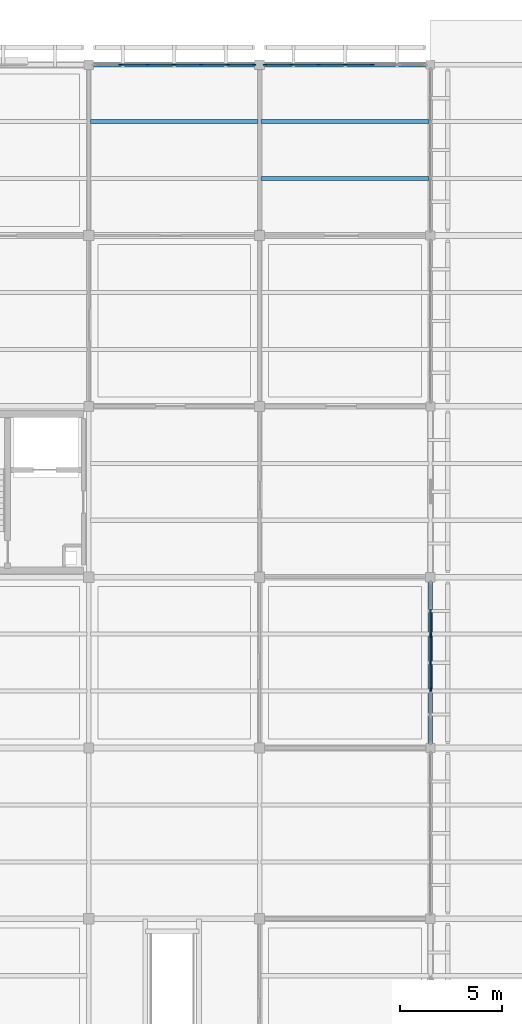
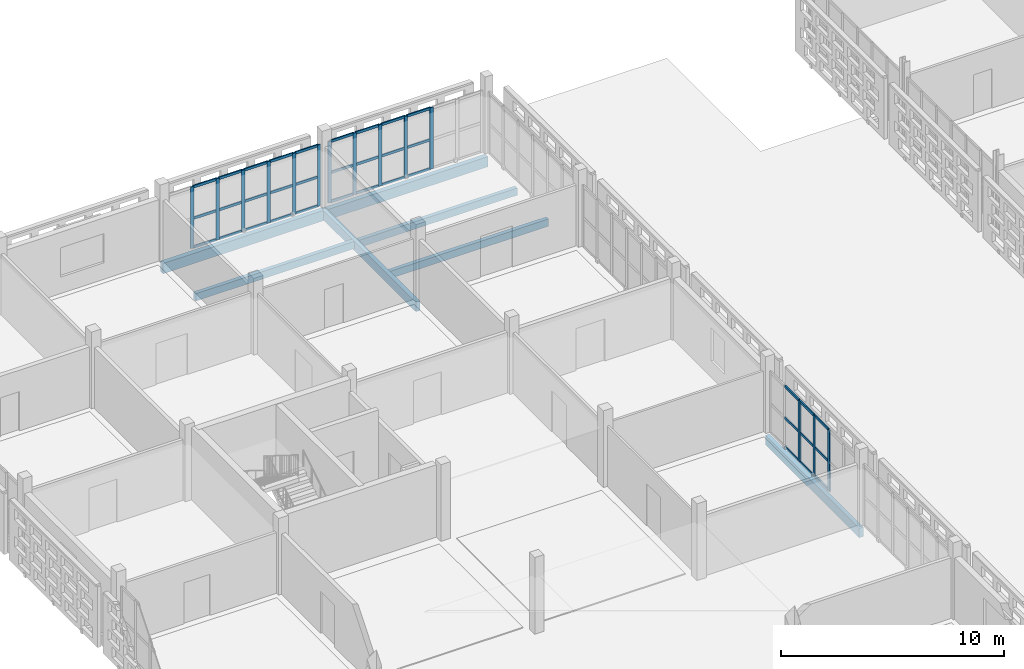
# One storey, part 39 of 166: 50 members, 7 beams, 3 elements without a shape of their own.
"""IFC4 building model written with IfcOpenShell, lengths in metres."""

from ifc_helpers import new_model, si_unit, direction, frame, origin, origin_2d, place, context, subcontext, project, spatial, rectangle, extrude, material, layer, layer_set, material_profile, profile_set, type_object, element, aggregate, save


model = new_model("IFC4")

# Units and contexts
model_context = context("Model", 3, precision=1e-05, world=origin(), true_north=direction((0.0, 1.0)))
body_context = subcontext(model_context, "Body", "Model", "MODEL_VIEW")
ifc_project = project(units=[si_unit("LENGTHUNIT", "METRE"), si_unit("AREAUNIT", "SQUARE_METRE"), si_unit("VOLUMEUNIT", "CUBIC_METRE"), si_unit("PLANEANGLEUNIT", "RADIAN"), si_unit("MASSUNIT", "GRAM", prefix="KILO")], contexts=[model_context])

# Site, building, storey
site_placement = place(None, origin())
site = spatial("IfcSite", under=ifc_project, at=site_placement, CompositionType="ELEMENT")
building_placement = place(site_placement, origin())
building = spatial("IfcBuilding", under=site, at=building_placement, Name="Varnapada Polytechnic", CompositionType="ELEMENT")
storey_placement = place(building_placement, frame((0.0, 0.0, 9.60009765625)))
storey = spatial("IfcBuildingStorey", under=building, at=storey_placement, Name="L02", CompositionType="ELEMENT", Elevation=9.60009765625)

# Beams
ifc_material_1 = material(Name="Glulam GL32h", Category="wood")
ifc_material_profile_1 = material_profile(ifc_material_1, rectangle(XDim=0.219970703125, YDim=0.52001953125, at=origin_2d()), Name="GL 220x520")
ifc_profile_set_1 = profile_set([ifc_material_profile_1], Name="Glulam GL32h")
beam_type_1 = type_object("IfcBeamType", Name="Laboratory transverse glulam beam GB-12 (GL 220x520)", PredefinedType="BEAM", material=ifc_profile_set_1)
beam_1_placement = place(storey_placement, frame((25.199951171875, 117.60009765625, -0.5), z_axis=(0.0, 1.0, 0.0), x_axis=(-1.0, 0.0, 0.0)))
element("IfcBeam", 1, at=beam_1_placement, inside=storey, type_object=beam_type_1, Name="L02 beam Y 15-16 at X4", PredefinedType="BEAM", context=body_context, shape_type="SweptSolid", body=[
    extrude(rectangle(XDim=0.219970703125, YDim=0.52001953125, at=origin_2d()), origin(), (0.0, 0.0, 1.0), 8.39990234375),
])
beam_2_placement = place(storey_placement, frame((33.60009765625, 92.39990234375, -0.530029296875), z_axis=(0.0, 1.0, 0.0), x_axis=(-1.0, 0.0, 0.0)))
element("IfcBeam", 2, at=beam_2_placement, inside=storey, type_object=beam_type_1, Name="L02 beam Y 12-13 at X5", PredefinedType="BEAM", context=body_context, shape_type="SweptSolid", body=[
    extrude(rectangle(XDim=0.219970703125, YDim=0.52001953125, at=origin_2d()), origin(), (0.0, 0.0, 1.0), 8.400146484375),
])
ifc_material_profile_2 = material_profile(ifc_material_1, rectangle(XDim=0.199951171875, YDim=0.39990234375, at=origin_2d()), Name="GL 200x400")
ifc_profile_set_2 = profile_set([ifc_material_profile_2], Name="Glulam GL32h")
beam_type_2 = type_object("IfcBeamType", Name="Library/laboratory glulam floor joist GJ-01 (GL 200x400)", PredefinedType="JOIST", material=ifc_profile_set_2)
beam_3_placement = place(storey_placement, frame((16.8798828125, 123.199951171875, -0.440185546875), z_axis=(1.0, 0.0, 0.0), x_axis=(0.0, 1.0, 0.0)))
element("IfcBeam", 3, at=beam_3_placement, inside=storey, type_object=beam_type_2, Name="L02 floor joist 3/15.2", PredefinedType="JOIST", context=body_context, shape_type="SweptSolid", body=[
    extrude(rectangle(XDim=0.199951171875, YDim=0.39990234375, at=origin_2d()), origin(), (0.0, 0.0, 1.0), 8.240234375),
])
for number, where, z_axis, x_axis, name in (
    (4, (25.280029296875, 120.39990234375, -0.47021484375), (1.0, 0.0, 0.0), (0.0, 1.0, 0.0), "L02 floor joist 4/15.1"),
    (5, (25.280029296875, 123.199951171875, -0.47021484375), (1.0, 0.0, 0.0), (0.0, 1.0, 0.0), "L02 floor joist 4/15.2"),
):
    element("IfcBeam", number, at=place(storey_placement, frame(where, z_axis=z_axis, x_axis=x_axis)), inside=storey, type_object=beam_type_2, Name=name, PredefinedType="JOIST", context=body_context, shape_type="SweptSolid", body=[
        extrude(rectangle(XDim=0.199951171875, YDim=0.39990234375, at=origin_2d()), origin(), (0.0, 0.0, 1.0), 8.239990234375),
    ])

# Curtain wall, members
ifc_material_2 = material(Name="Double low-E laminated glass", Category="glass")
ifc_layer = layer(ifc_material_2, 0.179931640625)
ifc_layer_set = layer_set([ifc_layer], Name="Double low-E laminated glass")
curtain_wall_type = type_object("IfcCurtainWallType", Name="Curtain Wall CW-03", PredefinedType="NOTDEFINED", material=ifc_layer_set)
curtain_wall_1_placement = place(storey_placement, origin())
curtain_wall_1 = element("IfcCurtainWall", 6, at=curtain_wall_1_placement, inside=storey, type_object=curtain_wall_type, Name="L02 unitised curtain wall CW-03 (142)", PredefinedType="NOTDEFINED")
ifc_material_3 = material(Name="Anodised aluminium", Category="aluminium")
ifc_material_profile_3 = material_profile(ifc_material_3, rectangle(XDim=0.06494140625, YDim=0.179931640625, at=origin_2d()), Name="ALU M65x180")
ifc_profile_set_3 = profile_set([ifc_material_profile_3], Name="Anodised aluminium")
member_type_1 = type_object("IfcMemberType", Name="Mullion M-02", PredefinedType="MULLION", material=ifc_profile_set_3)
member_1_placement = place(storey_placement, frame((18.360107421875, 126.0, 0.0), z_axis=(0.0, 0.0, 1.0), x_axis=(0.0, 1.0, 0.0)))
member_1 = element("IfcMember", 7, at=member_1_placement, type_object=member_type_1, Name="CW-03 mullion 2", PredefinedType="MULLION", context=body_context, shape_type="SweptSolid", body=[
    extrude(rectangle(XDim=0.06494140625, YDim=0.179931640625, at=origin_2d()), origin(), (0.0, 0.0, 1.0), 3.35986328125),
])
member_2_placement = place(storey_placement, frame((19.679931640625, 126.0, 0.0), z_axis=(0.0, 0.0, 1.0), x_axis=(0.0, 1.0, 0.0)))
member_2 = element("IfcMember", 8, at=member_2_placement, type_object=member_type_1, Name="CW-03 mullion 3", PredefinedType="MULLION", context=body_context, shape_type="SweptSolid", body=[
    extrude(rectangle(XDim=0.06494140625, YDim=0.179931640625, at=origin_2d()), origin(), (0.0, 0.0, 1.0), 3.35986328125),
])
member_3_placement = place(storey_placement, frame((21.0, 126.0, 0.0), z_axis=(0.0, 0.0, 1.0), x_axis=(0.0, 1.0, 0.0)))
member_3 = element("IfcMember", 9, at=member_3_placement, type_object=member_type_1, Name="CW-03 mullion 4", PredefinedType="MULLION", context=body_context, shape_type="SweptSolid", body=[
    extrude(rectangle(XDim=0.06494140625, YDim=0.179931640625, at=origin_2d()), origin(), (0.0, 0.0, 1.0), 3.35986328125),
])
member_4_placement = place(storey_placement, frame((22.320068359375, 126.0, 0.0), z_axis=(0.0, 0.0, 1.0), x_axis=(0.0, 1.0, 0.0)))
member_4 = element("IfcMember", 10, at=member_4_placement, type_object=member_type_1, Name="CW-03 mullion 5", PredefinedType="MULLION", context=body_context, shape_type="SweptSolid", body=[
    extrude(rectangle(XDim=0.06494140625, YDim=0.179931640625, at=origin_2d()), origin(), (0.0, 0.0, 1.0), 3.35986328125),
])
member_5_placement = place(storey_placement, frame((23.639892578125, 126.0, 0.0), z_axis=(0.0, 0.0, 1.0), x_axis=(0.0, 1.0, 0.0)))
member_5 = element("IfcMember", 11, at=member_5_placement, type_object=member_type_1, Name="CW-03 mullion 6", PredefinedType="MULLION", context=body_context, shape_type="SweptSolid", body=[
    extrude(rectangle(XDim=0.06494140625, YDim=0.179931640625, at=origin_2d()), origin(), (0.0, 0.0, 1.0), 3.35986328125),
])
member_6_placement = place(storey_placement, frame((24.927490234375, 126.0, 0.0), z_axis=(0.0, 0.0, 1.0), x_axis=(0.0, 1.0, 0.0)))
member_6 = element("IfcMember", 12, at=member_6_placement, type_object=member_type_1, Name="CW-03 mullion 7", PredefinedType="MULLION", context=body_context, shape_type="SweptSolid", body=[
    extrude(rectangle(XDim=0.06494140625, YDim=0.179931640625, at=origin_2d()), origin(), (0.0, 0.0, 1.0), 3.35986328125),
])

curtain_wall_2_placement = place(storey_placement, origin())
curtain_wall_2 = element("IfcCurtainWall", 13, at=curtain_wall_2_placement, inside=storey, type_object=curtain_wall_type, Name="L02 unitised curtain wall CW-03 (147)", PredefinedType="NOTDEFINED")
member_7_placement = place(storey_placement, frame((33.60009765625, 97.919921875, 0.0), z_axis=(0.0, 0.0, 1.0), x_axis=(1.0, 0.0, 0.0)))
member_7 = element("IfcMember", 14, at=member_7_placement, type_object=member_type_1, Name="CW-03 mullion 3", PredefinedType="MULLION", context=body_context, shape_type="SweptSolid", body=[
    extrude(rectangle(XDim=0.06494140625, YDim=0.179931640625, at=origin_2d()), origin(), (0.0, 0.0, 1.0), 3.35986328125),
])
member_8_placement = place(storey_placement, frame((33.60009765625, 96.594970703125, 0.0), z_axis=(0.0, 0.0, 1.0), x_axis=(1.0, 0.0, 0.0)))
member_8 = element("IfcMember", 15, at=member_8_placement, type_object=member_type_1, Name="CW-03 mullion 4", PredefinedType="MULLION", context=body_context, shape_type="SweptSolid", body=[
    extrude(rectangle(XDim=0.06494140625, YDim=0.179931640625, at=origin_2d()), origin(), (0.0, 0.0, 1.0), 3.35986328125),
])
member_9_placement = place(storey_placement, frame((33.60009765625, 95.27001953125, 0.0), z_axis=(0.0, 0.0, 1.0), x_axis=(1.0, 0.0, 0.0)))
member_9 = element("IfcMember", 16, at=member_9_placement, type_object=member_type_1, Name="CW-03 mullion 5", PredefinedType="MULLION", context=body_context, shape_type="SweptSolid", body=[
    extrude(rectangle(XDim=0.06494140625, YDim=0.179931640625, at=origin_2d()), origin(), (0.0, 0.0, 1.0), 3.35986328125),
])

curtain_wall_3_placement = place(storey_placement, origin())
curtain_wall_3 = element("IfcCurtainWall", 17, at=curtain_wall_3_placement, inside=storey, type_object=curtain_wall_type, Name="L02 unitised curtain wall CW-03 (149)", PredefinedType="NOTDEFINED")
member_10_placement = place(storey_placement, frame((25.472412109375, 126.0, 0.0), z_axis=(0.0, 0.0, 1.0), x_axis=(0.0, 1.0, 0.0)))
member_10 = element("IfcMember", 18, at=member_10_placement, type_object=member_type_1, Name="CW-03 mullion 1", PredefinedType="MULLION", context=body_context, shape_type="SweptSolid", body=[
    extrude(rectangle(XDim=0.06494140625, YDim=0.179931640625, at=origin_2d()), origin(), (0.0, 0.0, 1.0), 3.35986328125),
])
member_11_placement = place(storey_placement, frame((26.764892578125, 126.0, 0.0), z_axis=(0.0, 0.0, 1.0), x_axis=(0.0, 1.0, 0.0)))
member_11 = element("IfcMember", 19, at=member_11_placement, type_object=member_type_1, Name="CW-03 mullion 2", PredefinedType="MULLION", context=body_context, shape_type="SweptSolid", body=[
    extrude(rectangle(XDim=0.06494140625, YDim=0.179931640625, at=origin_2d()), origin(), (0.0, 0.0, 1.0), 3.35986328125),
])
member_12_placement = place(storey_placement, frame((28.090087890625, 126.0, 0.0), z_axis=(0.0, 0.0, 1.0), x_axis=(0.0, 1.0, 0.0)))
member_12 = element("IfcMember", 20, at=member_12_placement, type_object=member_type_1, Name="CW-03 mullion 3", PredefinedType="MULLION", context=body_context, shape_type="SweptSolid", body=[
    extrude(rectangle(XDim=0.06494140625, YDim=0.179931640625, at=origin_2d()), origin(), (0.0, 0.0, 1.0), 3.35986328125),
])
member_13_placement = place(storey_placement, frame((29.4150390625, 126.0, 0.0), z_axis=(0.0, 0.0, 1.0), x_axis=(0.0, 1.0, 0.0)))
member_13 = element("IfcMember", 21, at=member_13_placement, type_object=member_type_1, Name="CW-03 mullion 4", PredefinedType="MULLION", context=body_context, shape_type="SweptSolid", body=[
    extrude(rectangle(XDim=0.06494140625, YDim=0.179931640625, at=origin_2d()), origin(), (0.0, 0.0, 1.0), 3.35986328125),
])
member_14_placement = place(storey_placement, frame((30.739990234375, 126.0, 0.0), z_axis=(0.0, 0.0, 1.0), x_axis=(0.0, 1.0, 0.0)))
member_14 = element("IfcMember", 22, at=member_14_placement, type_object=member_type_1, Name="CW-03 mullion 5", PredefinedType="MULLION", context=body_context, shape_type="SweptSolid", body=[
    extrude(rectangle(XDim=0.06494140625, YDim=0.179931640625, at=origin_2d()), origin(), (0.0, 0.0, 1.0), 3.35986328125),
])

# Beams
ifc_material_profile_4 = material_profile(ifc_material_1, rectangle(XDim=0.239990234375, YDim=0.56005859375, at=origin_2d()), Name="GL 240x560")
ifc_profile_set_4 = profile_set([ifc_material_profile_4], Name="Glulam GL32h")
beam_type_3 = type_object("IfcBeamType", Name="Perimeter glulam spandrel beam SP-02 (GL 240x560)", PredefinedType="SPANDREL", material=ifc_profile_set_4)
beam_4_placement = place(storey_placement, frame((16.800048828125, 126.0, -0.52001953125), z_axis=(1.0, 0.0, 0.0), x_axis=(0.0, 1.0, 0.0)))
element("IfcBeam", 23, at=beam_4_placement, inside=storey, type_object=beam_type_3, Name="L02 beam X 3-4 at Y16", PredefinedType="SPANDREL", context=body_context, shape_type="SweptSolid", body=[
    extrude(rectangle(XDim=0.239990234375, YDim=0.56005859375, at=origin_2d()), origin(), (0.0, 0.0, 1.0), 8.39990234375),
])
beam_5_placement = place(storey_placement, frame((25.199951171875, 126.0, -0.550048828125), z_axis=(1.0, 0.0, 0.0), x_axis=(0.0, 1.0, 0.0)))
element("IfcBeam", 24, at=beam_5_placement, inside=storey, type_object=beam_type_3, Name="L02 beam X 4-5 at Y16", PredefinedType="SPANDREL", context=body_context, shape_type="SweptSolid", body=[
    extrude(rectangle(XDim=0.239990234375, YDim=0.56005859375, at=origin_2d()), origin(), (0.0, 0.0, 1.0), 8.400146484375),
])

# Member
ifc_material_profile_5 = material_profile(ifc_material_3, rectangle(XDim=0.06494140625, YDim=0.139892578125, at=origin_2d()), Name="ALU T65x140")
ifc_profile_set_5 = profile_set([ifc_material_profile_5], Name="Anodised aluminium")
member_type_2 = type_object("IfcMemberType", Name="Transom T-02", PredefinedType="USERDEFINED", material=ifc_profile_set_5)
member_15_placement = place(storey_placement, frame((18.392578125, 126.0, 0.032470703125), z_axis=(1.0, 0.0, 0.0), x_axis=(0.0, 1.0, 0.0)))
member_15 = element("IfcMember", 25, at=member_15_placement, type_object=member_type_2, Name="CW-03 transom 2.1", ObjectType="TRANSOM", PredefinedType="USERDEFINED", context=body_context, shape_type="SweptSolid", body=[
    extrude(rectangle(XDim=0.06494140625, YDim=0.139892578125, at=origin_2d()), origin(), (0.0, 0.0, 1.0), 1.2548828125),
])

member_16_placement = place(storey_placement, frame((18.392578125, 126.0, 1.61279296875), z_axis=(1.0, 0.0, 0.0), x_axis=(0.0, 1.0, 0.0)))
member_16 = element("IfcMember", 26, at=member_16_placement, type_object=member_type_2, Name="CW-03 transom 2.2", ObjectType="TRANSOM", PredefinedType="USERDEFINED", context=body_context, shape_type="SweptSolid", body=[
    extrude(rectangle(XDim=0.06494140625, YDim=0.139892578125, at=origin_2d()), origin(), (0.0, 0.0, 1.0), 1.2548828125),
])

member_17_placement = place(storey_placement, frame((18.392578125, 126.0, 3.327392578125), z_axis=(1.0, 0.0, 0.0), x_axis=(0.0, 1.0, 0.0)))
member_17 = element("IfcMember", 27, at=member_17_placement, type_object=member_type_2, Name="CW-03 transom 2.3", ObjectType="TRANSOM", PredefinedType="USERDEFINED", context=body_context, shape_type="SweptSolid", body=[
    extrude(rectangle(XDim=0.06494140625, YDim=0.139892578125, at=origin_2d()), origin(), (0.0, 0.0, 1.0), 1.2548828125),
])

member_18_placement = place(storey_placement, frame((19.71240234375, 126.0, 0.032470703125), z_axis=(1.0, 0.0, 0.0), x_axis=(0.0, 1.0, 0.0)))
member_18 = element("IfcMember", 28, at=member_18_placement, type_object=member_type_2, Name="CW-03 transom 3.1", ObjectType="TRANSOM", PredefinedType="USERDEFINED", context=body_context, shape_type="SweptSolid", body=[
    extrude(rectangle(XDim=0.06494140625, YDim=0.139892578125, at=origin_2d()), origin(), (0.0, 0.0, 1.0), 1.255126953125),
])

member_19_placement = place(storey_placement, frame((19.71240234375, 126.0, 1.61279296875), z_axis=(1.0, 0.0, 0.0), x_axis=(0.0, 1.0, 0.0)))
member_19 = element("IfcMember", 29, at=member_19_placement, type_object=member_type_2, Name="CW-03 transom 3.2", ObjectType="TRANSOM", PredefinedType="USERDEFINED", context=body_context, shape_type="SweptSolid", body=[
    extrude(rectangle(XDim=0.06494140625, YDim=0.139892578125, at=origin_2d()), origin(), (0.0, 0.0, 1.0), 1.255126953125),
])

member_20_placement = place(storey_placement, frame((19.71240234375, 126.0, 3.327392578125), z_axis=(1.0, 0.0, 0.0), x_axis=(0.0, 1.0, 0.0)))
member_20 = element("IfcMember", 30, at=member_20_placement, type_object=member_type_2, Name="CW-03 transom 3.3", ObjectType="TRANSOM", PredefinedType="USERDEFINED", context=body_context, shape_type="SweptSolid", body=[
    extrude(rectangle(XDim=0.06494140625, YDim=0.139892578125, at=origin_2d()), origin(), (0.0, 0.0, 1.0), 1.255126953125),
])

member_21_placement = place(storey_placement, frame((21.032470703125, 126.0, 0.032470703125), z_axis=(1.0, 0.0, 0.0), x_axis=(0.0, 1.0, 0.0)))
member_21 = element("IfcMember", 31, at=member_21_placement, type_object=member_type_2, Name="CW-03 transom 4.1", ObjectType="TRANSOM", PredefinedType="USERDEFINED", context=body_context, shape_type="SweptSolid", body=[
    extrude(rectangle(XDim=0.06494140625, YDim=0.139892578125, at=origin_2d()), origin(), (0.0, 0.0, 1.0), 1.255126953125),
])

member_22_placement = place(storey_placement, frame((21.032470703125, 126.0, 1.61279296875), z_axis=(1.0, 0.0, 0.0), x_axis=(0.0, 1.0, 0.0)))
member_22 = element("IfcMember", 32, at=member_22_placement, type_object=member_type_2, Name="CW-03 transom 4.2", ObjectType="TRANSOM", PredefinedType="USERDEFINED", context=body_context, shape_type="SweptSolid", body=[
    extrude(rectangle(XDim=0.06494140625, YDim=0.139892578125, at=origin_2d()), origin(), (0.0, 0.0, 1.0), 1.255126953125),
])

member_23_placement = place(storey_placement, frame((21.032470703125, 126.0, 3.327392578125), z_axis=(1.0, 0.0, 0.0), x_axis=(0.0, 1.0, 0.0)))
member_23 = element("IfcMember", 33, at=member_23_placement, type_object=member_type_2, Name="CW-03 transom 4.3", ObjectType="TRANSOM", PredefinedType="USERDEFINED", context=body_context, shape_type="SweptSolid", body=[
    extrude(rectangle(XDim=0.06494140625, YDim=0.139892578125, at=origin_2d()), origin(), (0.0, 0.0, 1.0), 1.255126953125),
])

member_24_placement = place(storey_placement, frame((22.3525390625, 126.0, 0.032470703125), z_axis=(1.0, 0.0, 0.0), x_axis=(0.0, 1.0, 0.0)))
member_24 = element("IfcMember", 34, at=member_24_placement, type_object=member_type_2, Name="CW-03 transom 5.1", ObjectType="TRANSOM", PredefinedType="USERDEFINED", context=body_context, shape_type="SweptSolid", body=[
    extrude(rectangle(XDim=0.06494140625, YDim=0.139892578125, at=origin_2d()), origin(), (0.0, 0.0, 1.0), 1.2548828125),
])

member_25_placement = place(storey_placement, frame((22.3525390625, 126.0, 1.61279296875), z_axis=(1.0, 0.0, 0.0), x_axis=(0.0, 1.0, 0.0)))
member_25 = element("IfcMember", 35, at=member_25_placement, type_object=member_type_2, Name="CW-03 transom 5.2", ObjectType="TRANSOM", PredefinedType="USERDEFINED", context=body_context, shape_type="SweptSolid", body=[
    extrude(rectangle(XDim=0.06494140625, YDim=0.139892578125, at=origin_2d()), origin(), (0.0, 0.0, 1.0), 1.2548828125),
])

member_26_placement = place(storey_placement, frame((22.3525390625, 126.0, 3.327392578125), z_axis=(1.0, 0.0, 0.0), x_axis=(0.0, 1.0, 0.0)))
member_26 = element("IfcMember", 36, at=member_26_placement, type_object=member_type_2, Name="CW-03 transom 5.3", ObjectType="TRANSOM", PredefinedType="USERDEFINED", context=body_context, shape_type="SweptSolid", body=[
    extrude(rectangle(XDim=0.06494140625, YDim=0.139892578125, at=origin_2d()), origin(), (0.0, 0.0, 1.0), 1.2548828125),
])

member_27_placement = place(storey_placement, frame((23.672607421875, 126.0, 0.032470703125), z_axis=(1.0, 0.0, 0.0), x_axis=(0.0, 1.0, 0.0)))
member_27 = element("IfcMember", 37, at=member_27_placement, type_object=member_type_2, Name="CW-03 transom 6.1", ObjectType="TRANSOM", PredefinedType="USERDEFINED", context=body_context, shape_type="SweptSolid", body=[
    extrude(rectangle(XDim=0.06494140625, YDim=0.139892578125, at=origin_2d()), origin(), (0.0, 0.0, 1.0), 1.222412109375),
])

member_28_placement = place(storey_placement, frame((23.672607421875, 126.0, 1.61279296875), z_axis=(1.0, 0.0, 0.0), x_axis=(0.0, 1.0, 0.0)))
member_28 = element("IfcMember", 38, at=member_28_placement, type_object=member_type_2, Name="CW-03 transom 6.2", ObjectType="TRANSOM", PredefinedType="USERDEFINED", context=body_context, shape_type="SweptSolid", body=[
    extrude(rectangle(XDim=0.06494140625, YDim=0.139892578125, at=origin_2d()), origin(), (0.0, 0.0, 1.0), 1.222412109375),
])

member_29_placement = place(storey_placement, frame((23.672607421875, 126.0, 3.327392578125), z_axis=(1.0, 0.0, 0.0), x_axis=(0.0, 1.0, 0.0)))
member_29 = element("IfcMember", 39, at=member_29_placement, type_object=member_type_2, Name="CW-03 transom 6.3", ObjectType="TRANSOM", PredefinedType="USERDEFINED", context=body_context, shape_type="SweptSolid", body=[
    extrude(rectangle(XDim=0.06494140625, YDim=0.139892578125, at=origin_2d()), origin(), (0.0, 0.0, 1.0), 1.222412109375),
])

aggregate(curtain_wall_1, [member_1, member_2, member_3, member_4, member_5, member_6, member_15, member_16, member_17, member_18, member_19, member_20, member_21, member_22, member_23, member_24, member_25, member_26, member_27, member_28, member_29])

member_30_placement = place(storey_placement, frame((33.60009765625, 99.21240234375, 0.032470703125), z_axis=(0.0, -1.0, 0.0), x_axis=(1.0, 0.0, 0.0)))
member_30 = element("IfcMember", 40, at=member_30_placement, type_object=member_type_2, Name="CW-03 transom 2.1", ObjectType="TRANSOM", PredefinedType="USERDEFINED", context=body_context, shape_type="SweptSolid", body=[
    extrude(rectangle(XDim=0.06494140625, YDim=0.139892578125, at=origin_2d()), origin(), (0.0, 0.0, 1.0), 1.260009765625),
])

member_31_placement = place(storey_placement, frame((33.60009765625, 99.21240234375, 1.61279296875), z_axis=(0.0, -1.0, 0.0), x_axis=(1.0, 0.0, 0.0)))
member_31 = element("IfcMember", 41, at=member_31_placement, type_object=member_type_2, Name="CW-03 transom 2.2", ObjectType="TRANSOM", PredefinedType="USERDEFINED", context=body_context, shape_type="SweptSolid", body=[
    extrude(rectangle(XDim=0.06494140625, YDim=0.139892578125, at=origin_2d()), origin(), (0.0, 0.0, 1.0), 1.260009765625),
])

member_32_placement = place(storey_placement, frame((33.60009765625, 99.21240234375, 3.327392578125), z_axis=(0.0, -1.0, 0.0), x_axis=(1.0, 0.0, 0.0)))
member_32 = element("IfcMember", 42, at=member_32_placement, type_object=member_type_2, Name="CW-03 transom 2.3", ObjectType="TRANSOM", PredefinedType="USERDEFINED", context=body_context, shape_type="SweptSolid", body=[
    extrude(rectangle(XDim=0.06494140625, YDim=0.139892578125, at=origin_2d()), origin(), (0.0, 0.0, 1.0), 1.260009765625),
])

member_33_placement = place(storey_placement, frame((33.60009765625, 97.887451171875, 0.032470703125), z_axis=(0.0, -1.0, 0.0), x_axis=(1.0, 0.0, 0.0)))
member_33 = element("IfcMember", 43, at=member_33_placement, type_object=member_type_2, Name="CW-03 transom 3.1", ObjectType="TRANSOM", PredefinedType="USERDEFINED", context=body_context, shape_type="SweptSolid", body=[
    extrude(rectangle(XDim=0.06494140625, YDim=0.139892578125, at=origin_2d()), origin(), (0.0, 0.0, 1.0), 1.260009765625),
])

member_34_placement = place(storey_placement, frame((33.60009765625, 97.887451171875, 1.61279296875), z_axis=(0.0, -1.0, 0.0), x_axis=(1.0, 0.0, 0.0)))
member_34 = element("IfcMember", 44, at=member_34_placement, type_object=member_type_2, Name="CW-03 transom 3.2", ObjectType="TRANSOM", PredefinedType="USERDEFINED", context=body_context, shape_type="SweptSolid", body=[
    extrude(rectangle(XDim=0.06494140625, YDim=0.139892578125, at=origin_2d()), origin(), (0.0, 0.0, 1.0), 1.260009765625),
])

member_35_placement = place(storey_placement, frame((33.60009765625, 97.887451171875, 3.327392578125), z_axis=(0.0, -1.0, 0.0), x_axis=(1.0, 0.0, 0.0)))
member_35 = element("IfcMember", 45, at=member_35_placement, type_object=member_type_2, Name="CW-03 transom 3.3", ObjectType="TRANSOM", PredefinedType="USERDEFINED", context=body_context, shape_type="SweptSolid", body=[
    extrude(rectangle(XDim=0.06494140625, YDim=0.139892578125, at=origin_2d()), origin(), (0.0, 0.0, 1.0), 1.260009765625),
])

member_36_placement = place(storey_placement, frame((33.60009765625, 96.5625, 0.032470703125), z_axis=(0.0, -1.0, 0.0), x_axis=(1.0, 0.0, 0.0)))
member_36 = element("IfcMember", 46, at=member_36_placement, type_object=member_type_2, Name="CW-03 transom 4.1", ObjectType="TRANSOM", PredefinedType="USERDEFINED", context=body_context, shape_type="SweptSolid", body=[
    extrude(rectangle(XDim=0.06494140625, YDim=0.139892578125, at=origin_2d()), origin(), (0.0, 0.0, 1.0), 1.260009765625),
])

member_37_placement = place(storey_placement, frame((33.60009765625, 96.5625, 1.61279296875), z_axis=(0.0, -1.0, 0.0), x_axis=(1.0, 0.0, 0.0)))
member_37 = element("IfcMember", 47, at=member_37_placement, type_object=member_type_2, Name="CW-03 transom 4.2", ObjectType="TRANSOM", PredefinedType="USERDEFINED", context=body_context, shape_type="SweptSolid", body=[
    extrude(rectangle(XDim=0.06494140625, YDim=0.139892578125, at=origin_2d()), origin(), (0.0, 0.0, 1.0), 1.260009765625),
])

member_38_placement = place(storey_placement, frame((33.60009765625, 96.5625, 3.327392578125), z_axis=(0.0, -1.0, 0.0), x_axis=(1.0, 0.0, 0.0)))
member_38 = element("IfcMember", 48, at=member_38_placement, type_object=member_type_2, Name="CW-03 transom 4.3", ObjectType="TRANSOM", PredefinedType="USERDEFINED", context=body_context, shape_type="SweptSolid", body=[
    extrude(rectangle(XDim=0.06494140625, YDim=0.139892578125, at=origin_2d()), origin(), (0.0, 0.0, 1.0), 1.260009765625),
])

aggregate(curtain_wall_2, [member_7, member_8, member_9, member_30, member_31, member_32, member_33, member_34, member_35, member_36, member_37, member_38])

member_39_placement = place(storey_placement, frame((25.5048828125, 126.0, 0.032470703125), z_axis=(1.0, 0.0, 0.0), x_axis=(0.0, 1.0, 0.0)))
member_39 = element("IfcMember", 49, at=member_39_placement, type_object=member_type_2, Name="CW-03 transom 1.1", ObjectType="TRANSOM", PredefinedType="USERDEFINED", context=body_context, shape_type="SweptSolid", body=[
    extrude(rectangle(XDim=0.06494140625, YDim=0.139892578125, at=origin_2d()), origin(), (0.0, 0.0, 1.0), 1.2275390625),
])

member_40_placement = place(storey_placement, frame((25.5048828125, 126.0, 1.61279296875), z_axis=(1.0, 0.0, 0.0), x_axis=(0.0, 1.0, 0.0)))
member_40 = element("IfcMember", 50, at=member_40_placement, type_object=member_type_2, Name="CW-03 transom 1.2", ObjectType="TRANSOM", PredefinedType="USERDEFINED", context=body_context, shape_type="SweptSolid", body=[
    extrude(rectangle(XDim=0.06494140625, YDim=0.139892578125, at=origin_2d()), origin(), (0.0, 0.0, 1.0), 1.2275390625),
])

member_41_placement = place(storey_placement, frame((25.5048828125, 126.0, 3.327392578125), z_axis=(1.0, 0.0, 0.0), x_axis=(0.0, 1.0, 0.0)))
member_41 = element("IfcMember", 51, at=member_41_placement, type_object=member_type_2, Name="CW-03 transom 1.3", ObjectType="TRANSOM", PredefinedType="USERDEFINED", context=body_context, shape_type="SweptSolid", body=[
    extrude(rectangle(XDim=0.06494140625, YDim=0.139892578125, at=origin_2d()), origin(), (0.0, 0.0, 1.0), 1.2275390625),
])

member_42_placement = place(storey_placement, frame((26.797607421875, 126.0, 0.032470703125), z_axis=(1.0, 0.0, 0.0), x_axis=(0.0, 1.0, 0.0)))
member_42 = element("IfcMember", 52, at=member_42_placement, type_object=member_type_2, Name="CW-03 transom 2.1", ObjectType="TRANSOM", PredefinedType="USERDEFINED", context=body_context, shape_type="SweptSolid", body=[
    extrude(rectangle(XDim=0.06494140625, YDim=0.139892578125, at=origin_2d()), origin(), (0.0, 0.0, 1.0), 1.260009765625),
])

member_43_placement = place(storey_placement, frame((26.797607421875, 126.0, 1.61279296875), z_axis=(1.0, 0.0, 0.0), x_axis=(0.0, 1.0, 0.0)))
member_43 = element("IfcMember", 53, at=member_43_placement, type_object=member_type_2, Name="CW-03 transom 2.2", ObjectType="TRANSOM", PredefinedType="USERDEFINED", context=body_context, shape_type="SweptSolid", body=[
    extrude(rectangle(XDim=0.06494140625, YDim=0.139892578125, at=origin_2d()), origin(), (0.0, 0.0, 1.0), 1.260009765625),
])

member_44_placement = place(storey_placement, frame((26.797607421875, 126.0, 3.327392578125), z_axis=(1.0, 0.0, 0.0), x_axis=(0.0, 1.0, 0.0)))
member_44 = element("IfcMember", 54, at=member_44_placement, type_object=member_type_2, Name="CW-03 transom 2.3", ObjectType="TRANSOM", PredefinedType="USERDEFINED", context=body_context, shape_type="SweptSolid", body=[
    extrude(rectangle(XDim=0.06494140625, YDim=0.139892578125, at=origin_2d()), origin(), (0.0, 0.0, 1.0), 1.260009765625),
])

member_45_placement = place(storey_placement, frame((28.12255859375, 126.0, 0.032470703125), z_axis=(1.0, 0.0, 0.0), x_axis=(0.0, 1.0, 0.0)))
member_45 = element("IfcMember", 55, at=member_45_placement, type_object=member_type_2, Name="CW-03 transom 3.1", ObjectType="TRANSOM", PredefinedType="USERDEFINED", context=body_context, shape_type="SweptSolid", body=[
    extrude(rectangle(XDim=0.06494140625, YDim=0.139892578125, at=origin_2d()), origin(), (0.0, 0.0, 1.0), 1.260009765625),
])

member_46_placement = place(storey_placement, frame((28.12255859375, 126.0, 1.61279296875), z_axis=(1.0, 0.0, 0.0), x_axis=(0.0, 1.0, 0.0)))
member_46 = element("IfcMember", 56, at=member_46_placement, type_object=member_type_2, Name="CW-03 transom 3.2", ObjectType="TRANSOM", PredefinedType="USERDEFINED", context=body_context, shape_type="SweptSolid", body=[
    extrude(rectangle(XDim=0.06494140625, YDim=0.139892578125, at=origin_2d()), origin(), (0.0, 0.0, 1.0), 1.260009765625),
])

member_47_placement = place(storey_placement, frame((28.12255859375, 126.0, 3.327392578125), z_axis=(1.0, 0.0, 0.0), x_axis=(0.0, 1.0, 0.0)))
member_47 = element("IfcMember", 57, at=member_47_placement, type_object=member_type_2, Name="CW-03 transom 3.3", ObjectType="TRANSOM", PredefinedType="USERDEFINED", context=body_context, shape_type="SweptSolid", body=[
    extrude(rectangle(XDim=0.06494140625, YDim=0.139892578125, at=origin_2d()), origin(), (0.0, 0.0, 1.0), 1.260009765625),
])

member_48_placement = place(storey_placement, frame((29.447509765625, 126.0, 0.032470703125), z_axis=(1.0, 0.0, 0.0), x_axis=(0.0, 1.0, 0.0)))
member_48 = element("IfcMember", 58, at=member_48_placement, type_object=member_type_2, Name="CW-03 transom 4.1", ObjectType="TRANSOM", PredefinedType="USERDEFINED", context=body_context, shape_type="SweptSolid", body=[
    extrude(rectangle(XDim=0.06494140625, YDim=0.139892578125, at=origin_2d()), origin(), (0.0, 0.0, 1.0), 1.260009765625),
])

member_49_placement = place(storey_placement, frame((29.447509765625, 126.0, 1.61279296875), z_axis=(1.0, 0.0, 0.0), x_axis=(0.0, 1.0, 0.0)))
member_49 = element("IfcMember", 59, at=member_49_placement, type_object=member_type_2, Name="CW-03 transom 4.2", ObjectType="TRANSOM", PredefinedType="USERDEFINED", context=body_context, shape_type="SweptSolid", body=[
    extrude(rectangle(XDim=0.06494140625, YDim=0.139892578125, at=origin_2d()), origin(), (0.0, 0.0, 1.0), 1.260009765625),
])

member_50_placement = place(storey_placement, frame((29.447509765625, 126.0, 3.327392578125), z_axis=(1.0, 0.0, 0.0), x_axis=(0.0, 1.0, 0.0)))
member_50 = element("IfcMember", 60, at=member_50_placement, type_object=member_type_2, Name="CW-03 transom 4.3", ObjectType="TRANSOM", PredefinedType="USERDEFINED", context=body_context, shape_type="SweptSolid", body=[
    extrude(rectangle(XDim=0.06494140625, YDim=0.139892578125, at=origin_2d()), origin(), (0.0, 0.0, 1.0), 1.260009765625),
])

aggregate(curtain_wall_3, [member_10, member_11, member_12, member_13, member_14, member_39, member_40, member_41, member_42, member_43, member_44, member_45, member_46, member_47, member_48, member_49, member_50])

save(model, "model.ifc")
